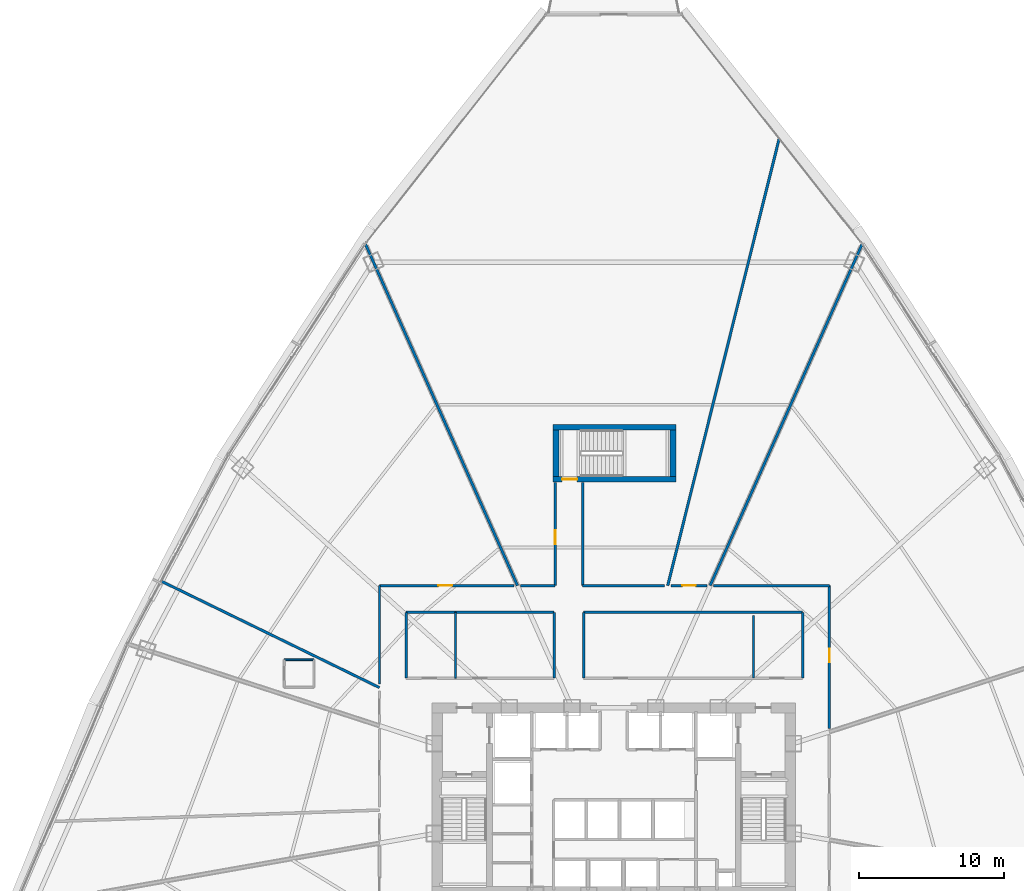
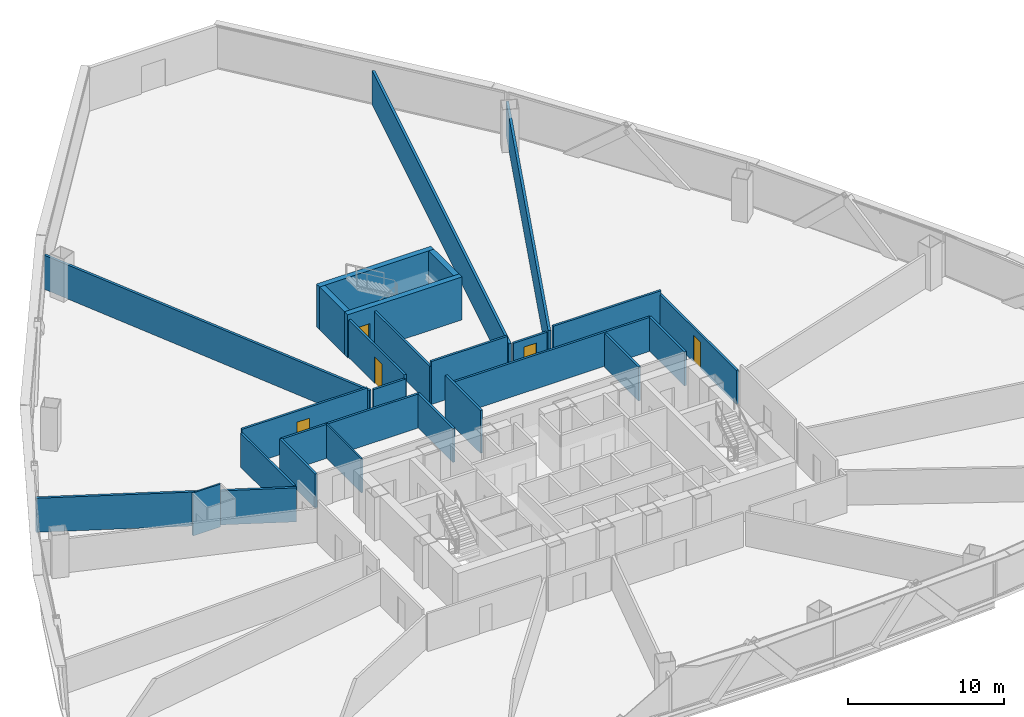
# One storey, part 31 of 37: 26 walls, 5 doors, 5 openings.
"""IFC4 building model written with IfcOpenShell, lengths in metres."""

from ifc_helpers import new_model, si_unit, direction, frame, frame_2d, origin, origin_with_axes, place, context, subcontext, project, spatial, rectangle, extrude, source, transform, mapped, material, layer, layer_set, type_object, element, fill, save


model = new_model("IFC4")

# Units and contexts
model_context = context("Model", 3, precision=1e-05, world=origin(), true_north=direction((0.0, 1.0)))
body_context = subcontext(model_context, "Body", "Model", "MODEL_VIEW")
ifc_project = project(units=[si_unit("LENGTHUNIT", "METRE"), si_unit("AREAUNIT", "SQUARE_METRE"), si_unit("VOLUMEUNIT", "CUBIC_METRE"), si_unit("PLANEANGLEUNIT", "RADIAN"), si_unit("MASSUNIT", "GRAM", prefix="KILO"), si_unit("THERMODYNAMICTEMPERATUREUNIT", "KELVIN"), si_unit("POWERUNIT", "WATT")], contexts=[model_context])

# Site, building, storey
site_placement = place(None, origin())
site = spatial("IfcSite", under=ifc_project, at=site_placement, CompositionType="ELEMENT")
building_placement = place(site_placement, origin())
building = spatial("IfcBuilding", under=site, at=building_placement, Name="Yunzhuo Pagoda Commons", CompositionType="ELEMENT")
storey_placement = place(building_placement, frame((0.0, 0.0, 52.179931640625)))
storey = spatial("IfcBuildingStorey", under=building, at=storey_placement, Name="L13", CompositionType="ELEMENT", Elevation=52.179931640625)

# Walls
ifc_material_1 = material(Name="Gypsum plasterboard on acoustic stud")
ifc_layer_1 = layer(ifc_material_1, 0.159912109375)
ifc_layer_set_1 = layer_set([ifc_layer_1], Name="Gypsum plasterboard on acoustic stud")
wall_type_1 = type_object("IfcWallType", Name="W-COR1 Tower Rated Corridor Wall 160", PredefinedType="PARTITIONING", material=ifc_layer_set_1)
wall_1_placement = place(storey_placement, frame((33.64990234375, 46.800048828125, 0.0), z_axis=(0.0, 0.0, 1.0), x_axis=(1.0, 0.0, 0.0)))
element("IfcWall", 1, at=wall_1_placement, inside=storey, type_object=wall_type_1, Name="L13 interior wall IW-L13-ISLWN", PredefinedType="PARTITIONING", context=body_context, shape_type="SweptSolid", body=[
    extrude(rectangle(XDim=10.22998046875, YDim=0.159912109375, at=frame_2d((5.114990234375, 0.0))), origin(), (0.0, 0.0, 1.0), 2.670166015625),
])
for number, where, z_axis, x_axis, name in (
    (2, (33.64990234375, 42.25, 0.0), (0.0, 0.0, 1.0), (0.0, 1.0, 0.0), "L13 interior wall IW-L13-ISLWW"),
    (3, (43.8798828125, 42.25, 0.0), (0.0, 0.0, 1.0), (0.0, 1.0, 0.0), "L13 interior wall IW-L13-ISLWE"),
):
    element("IfcWall", number, at=place(storey_placement, frame(where, z_axis=z_axis, x_axis=x_axis)), inside=storey, type_object=wall_type_1, Name=name, PredefinedType="PARTITIONING", context=body_context, shape_type="SweptSolid", body=[
        extrude(rectangle(XDim=4.550048828125, YDim=0.159912109375, at=frame_2d((2.27490234375, 0.0))), origin(), (0.0, 0.0, 1.0), 2.670166015625),
    ])
wall_2_placement = place(storey_placement, frame((45.919921875, 46.800048828125, 0.0), z_axis=(0.0, 0.0, 1.0), x_axis=(1.0, 0.0, 0.0)))
element("IfcWall", 4, at=wall_2_placement, inside=storey, type_object=wall_type_1, Name="L13 interior wall IW-L13-ISLEN", PredefinedType="PARTITIONING", context=body_context, shape_type="SweptSolid", body=[
    extrude(rectangle(XDim=15.130126953125, YDim=0.159912109375, at=frame_2d((7.56494140625, 0.0))), origin(), (0.0, 0.0, 1.0), 2.670166015625),
])
wall_3_placement = place(storey_placement, frame((45.919921875, 42.25, 0.0), z_axis=(0.0, 0.0, 1.0), x_axis=(0.0, 1.0, 0.0)))
element("IfcWall", 5, at=wall_3_placement, inside=storey, type_object=wall_type_1, Name="L13 interior wall IW-L13-ISLEW", PredefinedType="PARTITIONING", context=body_context, shape_type="SweptSolid", body=[
    extrude(rectangle(XDim=4.550048828125, YDim=0.159912109375, at=frame_2d((2.27490234375, 0.0))), origin(), (0.0, 0.0, 1.0), 3.3701171875),
])
wall_4_placement = place(storey_placement, frame((61.050048828125, 42.25, 0.0), z_axis=(0.0, 0.0, 1.0), x_axis=(0.0, 1.0, 0.0)))
element("IfcWall", 6, at=wall_4_placement, inside=storey, type_object=wall_type_1, Name="L13 interior wall IW-L13-ISLEE", PredefinedType="PARTITIONING", context=body_context, shape_type="SweptSolid", body=[
    extrude(rectangle(XDim=4.550048828125, YDim=0.159912109375, at=frame_2d((2.27490234375, 0.0))), origin(), (0.0, 0.0, 1.0), 2.670166015625),
])
wall_5_placement = place(storey_placement, frame((57.64990234375, 42.25, 0.0), z_axis=(0.0, 0.0, 1.0), x_axis=(0.0, 1.0, 0.0)))
element("IfcWall", 7, at=wall_5_placement, inside=storey, type_object=wall_type_1, Name="L13 interior wall IW-L13-ISL2W", PredefinedType="PARTITIONING", context=body_context, shape_type="SweptSolid", body=[
    extrude(rectangle(XDim=4.35009765625, YDim=0.159912109375, at=frame_2d((2.175048828125, 0.0))), origin(), (0.0, 0.0, 1.0), 2.670166015625),
])
wall_6_placement = place(storey_placement, frame((31.800048828125, 41.84619140625, 0.0), z_axis=(0.0, 0.0, 1.0), x_axis=(0.0, 1.0, 0.0)))
element("IfcWall", 8, at=wall_6_placement, inside=storey, type_object=wall_type_1, Name="L13 interior wall IW-L13-CWL05", PredefinedType="PARTITIONING", context=body_context, shape_type="SweptSolid", body=[
    extrude(rectangle(XDim=6.8037109375, YDim=0.159912109375, at=frame_2d((3.40185546875, 0.0))), origin(), (0.0, 0.0, 1.0), 2.670166015625),
])

# Wall, opening, door
wall_7_placement = place(storey_placement, frame((31.800048828125, 48.64990234375, 0.0), z_axis=(0.0, 0.0, 1.0), x_axis=(1.0, 0.0, 0.0)))
wall_7 = element("IfcWall", 9, at=wall_7_placement, inside=storey, type_object=wall_type_1, Name="L13 interior wall IW-L13-CWL06", PredefinedType="PARTITIONING", context=body_context, shape_type="SweptSolid", body=[
    extrude(rectangle(XDim=9.302978515625, YDim=0.159912109375, at=frame_2d((4.6513671875, 0.0))), origin(), (0.0, 0.0, 1.0), 2.969970703125),
])
opening_1_placement = place(wall_7_placement, frame((4.06689453125, 0.0, 0.0)))
opening_1 = element("IfcOpeningElement", 10, at=opening_1_placement, cuts=wall_7, Name="Opening D-06", PredefinedType="OPENING", context=body_context, shape_type="SweptSolid", body=[
    extrude(rectangle(XDim=0.949951171875, YDim=2.10009765625, at=frame_2d((0.47509765625, 1.050048828125))), frame((0.0, 0.08984375, 0.0), z_axis=(0.0, -1.0, 0.0), x_axis=(1.0, 0.0, 0.0)), (0.0, 0.0, 1.0), 0.179931640625),
])
ifc_material_2 = material(Name="Galvanized fire-resisting metal leaf")
door_type_1 = type_object("IfcDoorType", Name="D-06 Co-Living Suite Entrance Fire Door 950x2100", OperationType="NOTDEFINED", PredefinedType="DOOR", material=ifc_material_2)
shared_shape_1 = source(origin(), body_context, "Body", "SweptSolid", [
    extrude(rectangle(XDim=0.949951171875, YDim=2.10009765625, at=frame_2d((0.47509765625, 1.050048828125))), frame((0.0, 0.02490234375, 0.0), z_axis=(0.0, -1.0, 0.0), x_axis=(1.0, 0.0, 0.0)), (0.0, 0.0, 1.0), 0.050048828125),
])
door_1_placement = place(opening_1_placement, origin_with_axes())
door_1 = element("IfcDoor", 11, at=door_1_placement, inside=storey, type_object=door_type_1, Name="L13 Resident Co-Living Commons Hall door", OperationType="SINGLE_SWING_LEFT", OverallHeight=2.10009765625, OverallWidth=0.949951171875, PredefinedType="DOOR", context=body_context, shape_type="MappedRepresentation", body=[
    mapped(shared_shape_1, transform((0.0, 0.0, 0.0), scale=1.0)),
])
fill(opening_1, door_1)

# Wall
wall_8_placement = place(storey_placement, frame((41.563720703125, 48.64990234375, 0.0), z_axis=(0.0, 0.0, 1.0), x_axis=(1.0, 0.0, 0.0)))
element("IfcWall", 12, at=wall_8_placement, inside=storey, type_object=wall_type_1, Name="L13 interior wall IW-L13-CWL07", PredefinedType="PARTITIONING", context=body_context, shape_type="SweptSolid", body=[
    extrude(rectangle(XDim=2.38623046875, YDim=0.159912109375, at=frame_2d((1.193115234375, 0.0))), origin(), (0.0, 0.0, 1.0), 2.670166015625),
])

# Wall, opening, door
wall_9_placement = place(storey_placement, frame((43.949951171875, 48.64990234375, 0.0), z_axis=(0.0, 0.0, 1.0), x_axis=(0.0, 1.0, 0.0)))
wall_9 = element("IfcWall", 13, at=wall_9_placement, inside=storey, type_object=wall_type_1, Name="L13 interior wall IW-L13-CWL08", PredefinedType="PARTITIONING", context=body_context, shape_type="SweptSolid", body=[
    extrude(rectangle(XDim=7.130126953125, YDim=0.159912109375, at=frame_2d((3.56494140625, 0.0))), origin(), (0.0, 0.0, 1.0), 2.969970703125),
])
opening_2_placement = place(wall_9_placement, frame((2.860107421875, 0.0, 0.0)))
opening_2 = element("IfcOpeningElement", 14, at=opening_2_placement, cuts=wall_9, Name="Opening D-06", PredefinedType="OPENING", context=body_context, shape_type="SweptSolid", body=[
    extrude(rectangle(XDim=0.949951171875, YDim=2.10009765625, at=frame_2d((0.47509765625, 1.050048828125))), frame((0.0, 0.08984375, 0.0), z_axis=(0.0, -1.0, 0.0), x_axis=(1.0, 0.0, 0.0)), (0.0, 0.0, 1.0), 0.179931640625),
])
door_2_placement = place(opening_2_placement, origin_with_axes())
door_2 = element("IfcDoor", 15, at=door_2_placement, inside=storey, type_object=door_type_1, Name="L13 unit 04 entrance door", OperationType="SINGLE_SWING_RIGHT", OverallHeight=2.10009765625, OverallWidth=0.949951171875, PredefinedType="DOOR", context=body_context, shape_type="MappedRepresentation", body=[
    mapped(shared_shape_1, transform((0.0, 0.0, 0.0), scale=1.0)),
])
fill(opening_2, door_2)

# Walls
wall_10_placement = place(storey_placement, frame((45.85009765625, 55.780029296875, 0.0), z_axis=(0.0, 0.0, 1.0), x_axis=(0.0, -1.0, 0.0)))
element("IfcWall", 16, at=wall_10_placement, inside=storey, type_object=wall_type_1, Name="L13 interior wall IW-L13-CWL09", PredefinedType="PARTITIONING", context=body_context, shape_type="SweptSolid", body=[
    extrude(rectangle(XDim=7.130126953125, YDim=0.159912109375, at=frame_2d((3.56494140625, 0.0))), origin(), (0.0, 0.0, 1.0), 2.969970703125),
])
wall_11_placement = place(storey_placement, frame((45.85009765625, 48.64990234375, 0.0), z_axis=(0.0, 0.0, 1.0), x_axis=(1.0, 0.0, 0.0)))
element("IfcWall", 17, at=wall_11_placement, inside=storey, type_object=wall_type_1, Name="L13 interior wall IW-L13-CWL10", PredefinedType="PARTITIONING", context=body_context, shape_type="SweptSolid", body=[
    extrude(rectangle(XDim=5.65771484375, YDim=0.159912109375, at=frame_2d((2.828857421875, 0.0))), origin(), (0.0, 0.0, 1.0), 3.3701171875),
])

# Wall, opening, door
wall_12_placement = place(storey_placement, frame((51.9541015625, 48.64990234375, 0.0), z_axis=(0.0, 0.0, 1.0), x_axis=(1.0, 0.0, 0.0)))
wall_12 = element("IfcWall", 18, at=wall_12_placement, inside=storey, type_object=wall_type_1, Name="L13 interior wall IW-L13-CWL11", PredefinedType="PARTITIONING", context=body_context, shape_type="SweptSolid", body=[
    extrude(rectangle(XDim=2.482177734375, YDim=0.159912109375, at=frame_2d((1.2412109375, 0.0))), origin(), (0.0, 0.0, 1.0), 2.670166015625),
])
opening_3_placement = place(wall_12_placement, frame((0.777587890625, 0.0, 0.0)))
opening_3 = element("IfcOpeningElement", 19, at=opening_3_placement, cuts=wall_12, Name="Opening D-04", PredefinedType="OPENING", context=body_context, shape_type="SweptSolid", body=[
    extrude(rectangle(XDim=0.919921875, YDim=2.10009765625, at=frame_2d((0.4599609375, 1.050048828125))), frame((0.0, 0.08984375, 0.0), z_axis=(0.0, -1.0, 0.0), x_axis=(1.0, 0.0, 0.0)), (0.0, 0.0, 1.0), 0.179931640625),
])
ifc_material_3 = material(Name="Powder-coated aluminium and timber acoustic leaf", Category="wood")
door_type_2 = type_object("IfcDoorType", Name="D-04 Bedroom & Study Interior Door 920x2100", OperationType="NOTDEFINED", PredefinedType="DOOR", material=ifc_material_3)
shared_shape_2 = source(origin(), body_context, "Body", "SweptSolid", [
    extrude(rectangle(XDim=0.919921875, YDim=2.10009765625, at=frame_2d((0.4599609375, 1.050048828125))), frame((0.0, 0.02490234375, 0.0), z_axis=(0.0, -1.0, 0.0), x_axis=(1.0, 0.0, 0.0)), (0.0, 0.0, 1.0), 0.050048828125),
])
door_3_placement = place(opening_3_placement, origin_with_axes())
door_3 = element("IfcDoor", 20, at=door_3_placement, inside=storey, type_object=door_type_2, Name="L13 seminar room 03 door", OperationType="SINGLE_SWING_LEFT", OverallHeight=2.10009765625, OverallWidth=0.919921875, PredefinedType="DOOR", context=body_context, shape_type="MappedRepresentation", body=[
    mapped(shared_shape_2, transform((0.0, 0.0, 0.0), scale=1.0)),
])
fill(opening_3, door_3)

# Wall
wall_13_placement = place(storey_placement, frame((54.89697265625, 48.64990234375, 0.0), z_axis=(0.0, 0.0, 1.0), x_axis=(1.0, 0.0, 0.0)))
element("IfcWall", 21, at=wall_13_placement, inside=storey, type_object=wall_type_1, Name="L13 interior wall IW-L13-CWL12", PredefinedType="PARTITIONING", context=body_context, shape_type="SweptSolid", body=[
    extrude(rectangle(XDim=8.0029296875, YDim=0.159912109375, at=frame_2d((4.00146484375, 0.0))), origin(), (0.0, 0.0, 1.0), 2.969970703125),
])

# Wall, opening, door
wall_14_placement = place(storey_placement, frame((62.89990234375, 48.64990234375, 0.0), z_axis=(0.0, 0.0, 1.0), x_axis=(0.0, -1.0, 0.0)))
wall_14 = element("IfcWall", 22, at=wall_14_placement, inside=storey, type_object=wall_type_1, Name="L13 interior wall IW-L13-CWL13", PredefinedType="PARTITIONING", context=body_context, shape_type="SweptSolid", body=[
    extrude(rectangle(XDim=9.877197265625, YDim=0.159912109375, at=frame_2d((4.9384765625, 0.0))), origin(), (0.0, 0.0, 1.0), 2.670166015625),
])
opening_4_placement = place(wall_14_placement, frame((4.349365234375, 0.0, 0.0)))
opening_4 = element("IfcOpeningElement", 23, at=opening_4_placement, cuts=wall_14, Name="Opening D-06", PredefinedType="OPENING", context=body_context, shape_type="SweptSolid", body=[
    extrude(rectangle(XDim=0.949951171875, YDim=2.10009765625, at=frame_2d((0.47509765625, 1.050048828125))), frame((0.0, 0.08984375, 0.0), z_axis=(0.0, -1.0, 0.0), x_axis=(1.0, 0.0, 0.0)), (0.0, 0.0, 1.0), 0.179931640625),
])
door_4_placement = place(opening_4_placement, origin_with_axes())
door_4 = element("IfcDoor", 24, at=door_4_placement, inside=storey, type_object=door_type_1, Name="L13 Shared Resident Kitchen and Pantry door", OperationType="SINGLE_SWING_RIGHT", OverallHeight=2.10009765625, OverallWidth=0.949951171875, PredefinedType="DOOR", context=body_context, shape_type="MappedRepresentation", body=[
    mapped(shared_shape_1, transform((0.0, 0.0, 0.0), scale=1.0)),
])
fill(opening_4, door_4)

# Walls
ifc_layer_2 = layer(ifc_material_1, 0.1201171875)
ifc_layer_set_2 = layer_set([ifc_layer_2], Name="Gypsum plasterboard on acoustic stud")
wall_type_2 = type_object("IfcWallType", Name="W-PRT1 Suite & Bathroom Partition 120", PredefinedType="PARTITIONING", material=ifc_layer_set_2)
wall_15_placement = place(storey_placement, frame((37.050048828125, 42.25, 0.0), z_axis=(0.0, 0.0, 1.0), x_axis=(0.0, 1.0, 0.0)))
element("IfcWall", 25, at=wall_15_placement, inside=storey, type_object=wall_type_2, Name="L13 interior wall IW-L13-ISLW1", PredefinedType="PARTITIONING", context=body_context, shape_type="SweptSolid", body=[
    extrude(rectangle(XDim=4.550048828125, YDim=0.1201171875, at=frame_2d((2.27490234375, 0.0))), origin(), (0.0, 0.0, 1.0), 2.670166015625),
])
wall_16_placement = place(storey_placement, frame((27.26806640625, 43.531005859375, 0.0), z_axis=(0.0, 0.0, 1.0), x_axis=(-1.0, 0.0, 0.0)))
element("IfcWall", 26, at=wall_16_placement, inside=storey, type_object=wall_type_2, Name="L13 interior wall IW-L13-B06N", PredefinedType="PARTITIONING", context=body_context, shape_type="SweptSolid", body=[
    extrude(rectangle(XDim=2.050048828125, YDim=0.1201171875, at=frame_2d((1.02490234375, 0.0))), origin(), (0.0, 0.0, 1.0), 3.3701171875),
])
ifc_layer_3 = layer(ifc_material_1, 0.179931640625)
ifc_layer_set_3 = layer_set([ifc_layer_3], Name="Gypsum plasterboard on acoustic stud")
wall_type_3 = type_object("IfcWallType", Name="W-PRT2 Acoustic Unit Demising Wall 180", PredefinedType="PARTITIONING", material=ifc_layer_set_3)
wall_17_placement = place(storey_placement, frame((54.65625, 48.64990234375, 0.0), z_axis=(0.0, 0.0, 1.0), x_axis=(0.406729800422, 0.913548504158, 0.0)))
element("IfcWall", 27, at=wall_17_placement, inside=storey, type_object=wall_type_3, Name="L13 interior wall IW-L13-RAD02", PredefinedType="PARTITIONING", context=body_context, shape_type="SweptSolid", body=[
    extrude(rectangle(XDim=25.853515625, YDim=0.179931640625, at=frame_2d((12.9267578125, 0.0))), origin(), (0.0, 0.0, 1.0), 2.670166015625),
])
wall_18_placement = place(storey_placement, frame((51.7275390625, 48.64990234375, 0.0), z_axis=(0.0, 0.0, 1.0), x_axis=(0.241918895985, 0.970296474159, 0.0)))
element("IfcWall", 28, at=wall_18_placement, inside=storey, type_object=wall_type_3, Name="L13 interior wall IW-L13-RAD03", PredefinedType="PARTITIONING", context=body_context, shape_type="SweptSolid", body=[
    extrude(rectangle(XDim=31.85791015625, YDim=0.179931640625, at=frame_2d((15.928955078125, 0.0))), origin(), (0.0, 0.0, 1.0), 2.670166015625),
])
wall_19_placement = place(storey_placement, frame((41.34375, 48.64990234375, 0.0), z_axis=(0.0, 0.0, 1.0), x_axis=(-0.406729800422, 0.913548504158, 0.0)))
element("IfcWall", 29, at=wall_19_placement, inside=storey, type_object=wall_type_3, Name="L13 interior wall IW-L13-RAD04", PredefinedType="PARTITIONING", context=body_context, shape_type="SweptSolid", body=[
    extrude(rectangle(XDim=25.853515625, YDim=0.179931640625, at=frame_2d((12.9267578125, 0.0))), origin(), (0.0, 0.0, 1.0), 2.670166015625),
])
wall_20_placement = place(storey_placement, frame((31.800048828125, 41.601318359375, 0.0), z_axis=(0.0, 0.0, 1.0), x_axis=(-0.898795978277, 0.438367185625, 0.0)))
element("IfcWall", 30, at=wall_20_placement, inside=storey, type_object=wall_type_3, Name="L13 interior wall IW-L13-RAD05", PredefinedType="PARTITIONING", context=body_context, shape_type="SweptSolid", body=[
    extrude(rectangle(XDim=16.78759765625, YDim=0.179931640625, at=frame_2d((8.393798828125, 0.0))), origin(), (0.0, 0.0, 1.0), 2.670166015625),
])
ifc_material_4 = material(Name="Concrete C60", Category="concrete")
ifc_layer_4 = layer(ifc_material_4, 0.39990234375)
ifc_layer_set_4 = layer_set([ifc_layer_4], Name="Concrete C60")
wall_type_4 = type_object("IfcWallType", Name="W-S01 Internal Core Shear Web 400", PredefinedType="SHEAR", material=ifc_layer_set_4)
wall_21_placement = place(storey_placement, frame((43.800048828125, 59.60009765625, 0.0), z_axis=(0.0, 0.0, 1.0), x_axis=(1.0, 0.0, 0.0)))
element("IfcWall", 31, at=wall_21_placement, inside=storey, type_object=wall_type_4, Name="L13 ST3 structural stair wall N", PredefinedType="SHEAR", context=body_context, shape_type="SweptSolid", body=[
    extrude(rectangle(XDim=8.5, YDim=0.39990234375, at=frame_2d((4.25, 0.0))), origin(), (0.0, 0.0, 1.0), 3.3701171875),
])

# Wall, opening, door
wall_22_placement = place(storey_placement, frame((43.800048828125, 56.0, 0.0), z_axis=(0.0, 0.0, 1.0), x_axis=(1.0, 0.0, 0.0)))
wall_22 = element("IfcWall", 32, at=wall_22_placement, inside=storey, type_object=wall_type_4, Name="L13 ST3 structural stair wall S", PredefinedType="SHEAR", context=body_context, shape_type="SweptSolid", body=[
    extrude(rectangle(XDim=8.5, YDim=0.39990234375, at=frame_2d((4.25, 0.0))), origin(), (0.0, 0.0, 1.0), 3.3701171875),
])
opening_5_placement = place(wall_22_placement, frame((0.6201171875, 0.0, 0.0)))
opening_5 = element("IfcOpeningElement", 33, at=opening_5_placement, cuts=wall_22, Name="Opening D-01", PredefinedType="OPENING", context=body_context, shape_type="SweptSolid", body=[
    extrude(rectangle(XDim=1.050048828125, YDim=2.10009765625, at=frame_2d((0.52490234375, 1.050048828125))), frame((0.0, 0.2099609375, 0.0), z_axis=(0.0, -1.0, 0.0), x_axis=(1.0, 0.0, 0.0)), (0.0, 0.0, 1.0), 0.419921875),
])
door_type_3 = type_object("IfcDoorType", Name="D-01 Smokeproof Stair Fire Door 1050x2100", OperationType="NOTDEFINED", PredefinedType="DOOR", material=ifc_material_2)
shared_shape_3 = source(origin(), body_context, "Body", "SweptSolid", [
    extrude(rectangle(XDim=1.050048828125, YDim=2.10009765625, at=frame_2d((0.52490234375, 1.050048828125))), frame((0.0, 0.02490234375, 0.0), z_axis=(0.0, -1.0, 0.0), x_axis=(1.0, 0.0, 0.0)), (0.0, 0.0, 1.0), 0.050048828125),
])
door_5_placement = place(opening_5_placement, frame((1.050048828125, 0.0, 0.0), z_axis=(0.0, 0.0, 1.0), x_axis=(-1.0, 0.0, 0.0)))
door_5 = element("IfcDoor", 34, at=door_5_placement, inside=storey, type_object=door_type_3, Name="L13 Stair ST3 fire door", OperationType="SINGLE_SWING_LEFT", OverallHeight=2.10009765625, OverallWidth=1.050048828125, PredefinedType="DOOR", context=body_context, shape_type="MappedRepresentation", body=[
    mapped(shared_shape_3, transform((0.0, 0.0, 0.0), scale=1.0)),
])
fill(opening_5, door_5)

# Walls
for number, where, z_axis, x_axis, name in (
    (35, (44.0, 56.199951171875, 0.0), (0.0, 0.0, 1.0), (0.0, 1.0, 0.0), "L13 ST3 structural stair wall W"),
    (36, (52.10009765625, 56.199951171875, 0.0), (0.0, 0.0, 1.0), (0.0, 1.0, 0.0), "L13 ST3 structural stair wall E"),
):
    element("IfcWall", number, at=place(storey_placement, frame(where, z_axis=z_axis, x_axis=x_axis)), inside=storey, type_object=wall_type_4, Name=name, PredefinedType="SHEAR", context=body_context, shape_type="SweptSolid", body=[
        extrude(rectangle(XDim=3.199951171875, YDim=0.39990234375, at=frame_2d((1.60009765625, 0.0))), origin(), (0.0, 0.0, 1.0), 3.3701171875),
    ])

save(model, "model.ifc")
